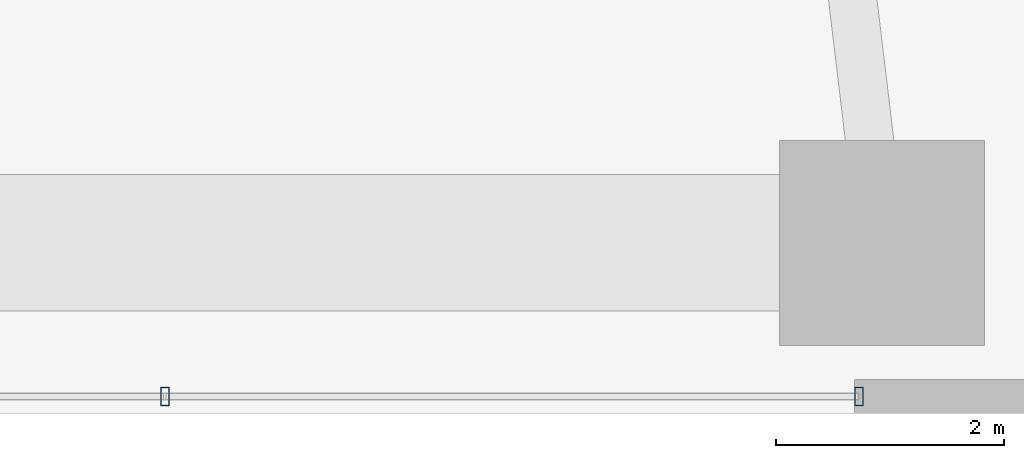
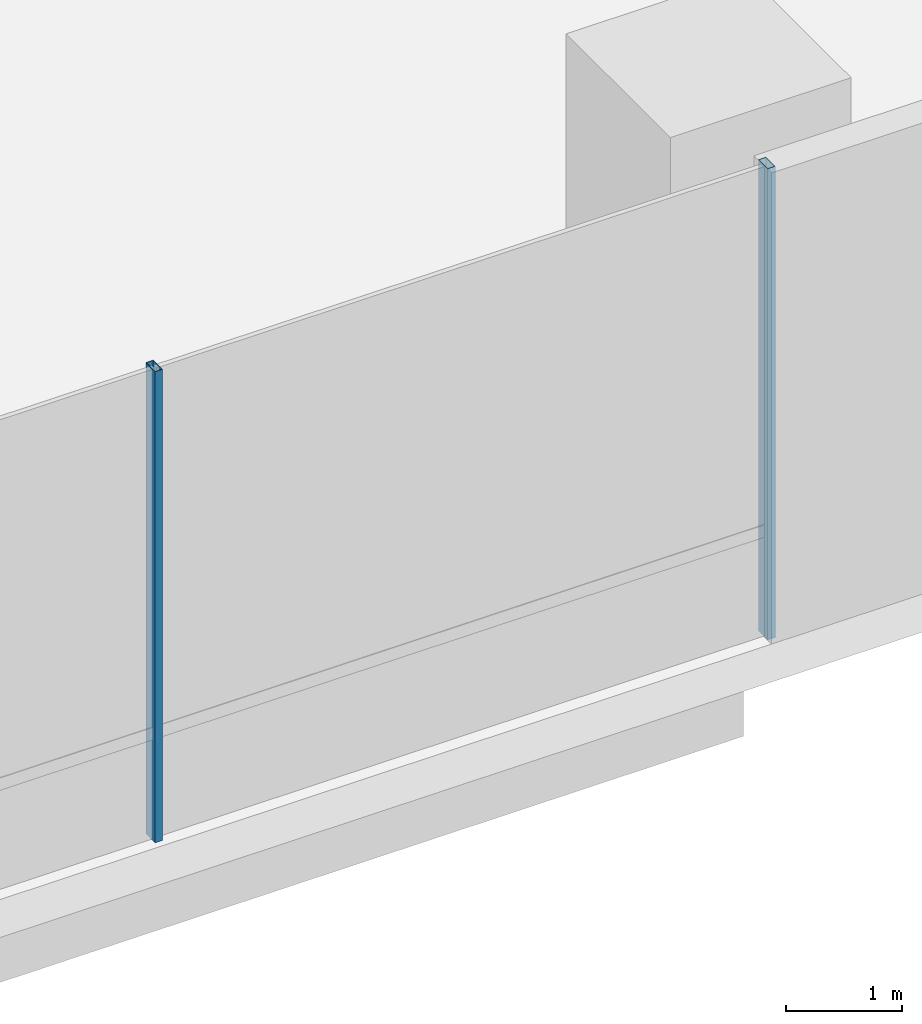
# One storey, part 10 of 41: 2 members, 1 element without a shape of its own.
"""IFC4 building model written with IfcOpenShell, lengths in metres."""

import ifcopenshell
import ifcopenshell.guid

model = None  # the IFC model being written
_history = None  # IfcOwnerHistory: only IFC2X3 demands one
_inside = {}  # id of a spatial element -> (the spatial element, [elements in it])
_under = {}  # id of a project, library or spatial element -> (it, [spatial elements below it])
_declared = {}  # id of a project -> (the project, [libraries it declares])
_typed = {}  # id of a type object -> (the type object, [elements of that type])
_made_of = {}  # id of a material, layer set ... -> (it, [elements and type objects made of it])


def new_model(schema):
    """Start an empty IFC model of exactly this schema.

    Asked for "IFC4X3", IfcOpenShell would pick the latest addendum, in which some entities
    have other attributes; the version numbers below select the first issue.
    IFC2X3 requires an IfcOwnerHistory on every rooted entity: one is made here for all.
    """
    global model, _history
    if schema == "IFC4X3":
        model = ifcopenshell.file(schema_version=(4, 3, 0, 0))
    else:
        model = ifcopenshell.file(schema=schema)
    _inside.clear()
    _under.clear()
    _declared.clear()
    _typed.clear()
    _made_of.clear()
    _history = None
    if model.schema == "IFC2X3":
        org = make("IfcOrganization", Name="unknown")
        user = make(
            "IfcPersonAndOrganization",
            ThePerson=make("IfcPerson", FamilyName="unknown"),
            TheOrganization=org,
        )
        app = make(
            "IfcApplication",
            ApplicationDeveloper=org,
            Version="unknown",
            ApplicationFullName="unknown",
            ApplicationIdentifier="unknown",
        )
        _history = make(
            "IfcOwnerHistory",
            OwningUser=user,
            OwningApplication=app,
            ChangeAction="ADDED",
            CreationDate=0,
        )
    return model


def make(cls, **values):
    """One entity of the class cls with the attributes given. An attribute that is None is left unset."""
    return model.create_entity(
        cls, **{name: value for name, value in values.items() if value is not None}
    )


def rooted(cls, **values):
    """An entity with a GlobalId (a new one), such as an element, a storey or a relation."""
    return make(cls, GlobalId=ifcopenshell.guid.new(), OwnerHistory=_history, **values)


def si_unit(unit_type, name, prefix=None):
    """IfcSIUnit, for example si_unit("LENGTHUNIT", "METRE", prefix="MILLI")."""
    return make("IfcSIUnit", UnitType=unit_type, Prefix=prefix, Name=name)


def assignment(units):
    """IfcUnitAssignment: the units of a project."""
    return None if units is None else make("IfcUnitAssignment", Units=units)


def point(xyz):
    """IfcCartesianPoint."""
    return None if xyz is None else make("IfcCartesianPoint", Coordinates=xyz)


def direction(xyz):
    """IfcDirection."""
    return None if xyz is None else make("IfcDirection", DirectionRatios=xyz)


def frame(location, z_axis=None, x_axis=None):
    """IfcAxis2Placement3D, a coordinate frame: its origin and axes. An axis left out is left unset."""
    return make(
        "IfcAxis2Placement3D",
        Location=point(location),
        Axis=direction(z_axis),
        RefDirection=direction(x_axis),
    )


def frame_2d(location, x_axis=None):
    """IfcAxis2Placement2D, a coordinate frame in the plane: its origin and x axis."""
    return make(
        "IfcAxis2Placement2D", Location=point(location), RefDirection=direction(x_axis)
    )


def origin():
    """The frame at (0, 0, 0) with its axes left unset."""
    return frame((0.0, 0.0, 0.0))


def origin_2d():
    """The frame at (0, 0) in the plane with its x axis left unset."""
    return frame_2d((0.0, 0.0))


def place(relative_to, where):
    """IfcLocalPlacement: puts the frame where relative to a parent placement (None: the world)."""
    return make(
        "IfcLocalPlacement", PlacementRelTo=relative_to, RelativePlacement=where
    )


def context(
    kind, dimensions, precision=None, world=None, true_north=None, identifier=None
):
    """IfcGeometricRepresentationContext, for example the 3D "Model" context."""
    return make(
        "IfcGeometricRepresentationContext",
        ContextIdentifier=identifier,
        ContextType=kind,
        CoordinateSpaceDimension=dimensions,
        Precision=precision,
        WorldCoordinateSystem=world,
        TrueNorth=true_north,
    )


def subcontext(parent, identifier, kind, view, scale=None):
    """IfcGeometricRepresentationSubContext, for example "Body" below "Model"."""
    return make(
        "IfcGeometricRepresentationSubContext",
        ContextIdentifier=identifier,
        ContextType=kind,
        ParentContext=parent,
        TargetScale=scale,
        TargetView=view,
    )


def project(units=None, contexts=None):
    """IfcProject with its units and contexts."""
    return rooted(
        "IfcProject",
        Name="project",
        RepresentationContexts=contexts,
        UnitsInContext=assignment(units),
    )


def spatial(cls, under=None, at=None, **own):
    """A site, building, storey or space (cls), placed at a placement, below another one or the project."""
    s = rooted(cls, ObjectPlacement=at, **own)
    if under is not None:
        _under.setdefault(under.id(), (under, []))[1].append(s)
    return s


def profile(cls, at=None, kind="AREA", **sizes):
    """A parametric profile (cls). Its sizes go by their IFC names, for example OverallWidth=200.0."""
    return make(cls, ProfileType=kind, Position=at, **sizes)


def hollow_rectangle(**sizes):
    """IfcRectangleHollowProfileDef."""
    return profile("IfcRectangleHollowProfileDef", **sizes)


def extrude(swept, where, along, depth):
    """IfcExtrudedAreaSolid: the profile swept, set in the frame where, extruded along a direction by depth."""
    return make(
        "IfcExtrudedAreaSolid",
        SweptArea=swept,
        Position=where,
        ExtrudedDirection=direction(along),
        Depth=depth,
    )


def shape(context_of_items, identifier, shape_type, items):
    """IfcShapeRepresentation: the items that make up one representation, for example the "Body"."""
    return make(
        "IfcShapeRepresentation",
        ContextOfItems=context_of_items,
        RepresentationIdentifier=identifier,
        RepresentationType=shape_type,
        Items=items,
    )


def source(mapping_origin, context_of_items, identifier, shape_type, items):
    """IfcRepresentationMap: a shape defined once, which mapped items show again and again."""
    return make(
        "IfcRepresentationMap",
        MappingOrigin=mapping_origin,
        MappedRepresentation=shape(context_of_items, identifier, shape_type, items),
    )


def transform(
    local_origin,
    x_axis=None,
    y_axis=None,
    z_axis=None,
    scale=None,
    scale2=None,
    scale3=None,
    uniform=True,
):
    """IfcCartesianTransformationOperator3D, or its non-uniform kind. x_axis, y_axis, z_axis: its Axis1, 2, 3."""
    if uniform:
        return make(
            "IfcCartesianTransformationOperator3D",
            Axis1=direction(x_axis),
            Axis2=direction(y_axis),
            LocalOrigin=point(local_origin),
            Scale=scale,
            Axis3=direction(z_axis),
        )
    return make(
        "IfcCartesianTransformationOperator3DnonUniform",
        Axis1=direction(x_axis),
        Axis2=direction(y_axis),
        LocalOrigin=point(local_origin),
        Scale=scale,
        Axis3=direction(z_axis),
        Scale2=scale2,
        Scale3=scale3,
    )


def mapped(mapping_source, mapping_target):
    """IfcMappedItem: shows the shape of a source again, moved by a transform."""
    return make(
        "IfcMappedItem", MappingSource=mapping_source, MappingTarget=mapping_target
    )


def material(Name=None, Category=None):
    """IfcMaterial."""
    return make("IfcMaterial", Name=Name, Category=Category)


def material_profile(
    of_material, cross_section, Name=None, Category=None, Priority=None
):
    """IfcMaterialProfile: a cross section and its material."""
    return make(
        "IfcMaterialProfile",
        Name=Name,
        Material=of_material,
        Profile=cross_section,
        Priority=Priority,
        Category=Category,
    )


def profile_set(profiles, Name=None, composite=None):
    """IfcMaterialProfileSet."""
    return make(
        "IfcMaterialProfileSet",
        Name=Name,
        MaterialProfiles=profiles,
        CompositeProfile=composite,
    )


def made_of(thing, what):
    """Note that an element or type object is made of a material, layer set ...; save() writes the relation."""
    if what is not None:
        _made_of.setdefault(what.id(), (what, []))[1].append(thing)
    return thing


def type_object(cls, material=None, **own):
    """A type object (cls), such as IfcWallType, which elements share."""
    return made_of(rooted(cls, **own), material)


def element(
    cls,
    number,
    at=None,
    inside=None,
    cuts=None,
    type_object=None,
    material=None,
    context=None,
    identifier="Body",
    shape_type=None,
    held_by="IfcProductDefinitionShape",
    body=None,
    shapes=None,
    **own,
):
    """One element of the class cls, such as IfcWall. Its Tag is "e" and its number.

    at: its placement. inside: the storey or other place that contains it. cuts: it is an
    opening in that element (IfcRelVoidsElement). A single representation is given by context,
    identifier, shape_type and body (its items); several are given by shapes. held_by: the class
    of the entity that holds the representations. save() writes the other relations.
    """
    e = rooted(cls, Tag="e%d" % number, ObjectPlacement=at, **own)
    if body is not None:
        shapes = [shape(context, identifier, shape_type, body)]
    if shapes is not None:
        e.Representation = make(held_by, Representations=shapes)
    if inside is not None:
        _inside.setdefault(inside.id(), (inside, []))[1].append(e)
    if cuts is not None:
        rooted(
            "IfcRelVoidsElement", RelatingBuildingElement=cuts, RelatedOpeningElement=e
        )
    if type_object is not None:
        _typed.setdefault(type_object.id(), (type_object, []))[1].append(e)
    return made_of(e, material)


def aggregate(whole, parts):
    """IfcRelAggregates: a whole, such as a stair, and the parts it consists of."""
    return rooted("IfcRelAggregates", RelatingObject=whole, RelatedObjects=parts)


def save(model, path):
    """Write the relations noted so far, then the file.

    IfcRelAggregates (storeys below a building ...), IfcRelContainedInSpatialStructure (elements
    in a storey), IfcRelDefinesByType, IfcRelAssociatesMaterial and IfcRelDeclares: one each for
    every whole, place, type object, material and project.
    """
    for whole, parts in _under.values():
        aggregate(whole, parts)
    for where, things in _inside.values():
        rooted(
            "IfcRelContainedInSpatialStructure",
            RelatedElements=things,
            RelatingStructure=where,
        )
    for kind, things in _typed.values():
        rooted("IfcRelDefinesByType", RelatedObjects=things, RelatingType=kind)
    for what, things in _made_of.values():
        rooted("IfcRelAssociatesMaterial", RelatedObjects=things, RelatingMaterial=what)
    for by, libraries in _declared.values():
        rooted("IfcRelDeclares", RelatingContext=by, RelatedDefinitions=libraries)
    model.write(path)


model = new_model("IFC4")

# Units and contexts
model_context = context("Model", 3, precision=1e-05, world=origin(), true_north=direction((0.0, 1.0)))
body_context = subcontext(model_context, "Body", "Model", "MODEL_VIEW")
ifc_project = project(units=[si_unit("LENGTHUNIT", "METRE"), si_unit("AREAUNIT", "SQUARE_METRE"), si_unit("VOLUMEUNIT", "CUBIC_METRE"), si_unit("PLANEANGLEUNIT", "RADIAN"), si_unit("MASSUNIT", "GRAM", prefix="KILO")], contexts=[model_context])

# Site, building, storey
site_placement = place(None, origin())
site = spatial("IfcSite", under=ifc_project, at=site_placement, CompositionType="ELEMENT")
building_placement = place(site_placement, origin())
building = spatial("IfcBuilding", under=site, at=building_placement, Name="Valdorenza Pilgrim Sanctuary Tower", CompositionType="ELEMENT")
storey_placement = place(building_placement, frame((0.0, 0.0, 20.800048828125)))
storey = spatial("IfcBuildingStorey", under=building, at=storey_placement, Name="L04", CompositionType="ELEMENT", Elevation=20.800048828125)

# Curtain wall, members
ifc_material_1 = material(Name="Curtain-wall IGU glazing", Category="glass")
curtain_wall_type = type_object("IfcCurtainWallType", Name="CW-SYS-01", PredefinedType="NOTDEFINED", material=ifc_material_1)
curtain_wall_placement = place(storey_placement, origin())
curtain_wall = element("IfcCurtainWall", 1, at=curtain_wall_placement, inside=storey, type_object=curtain_wall_type, Name="L04 Curtain Wall CW-POD-L04-ARCH-CROWN", PredefinedType="NOTDEFINED")
ifc_material_2 = material(Name="Anodised aluminium AW-6060", Category="aluminium")
ifc_material_profile = material_profile(ifc_material_2, hollow_rectangle(XDim=0.074951171875, YDim=0.159912109375, WallThickness=0.00390625, at=origin_2d()), Name="ALU-M 160x75x4")
ifc_profile_set = profile_set([ifc_material_profile], Name="Anodised aluminium AW-6060")
member_type = type_object("IfcMemberType", Name="CW-MUL-01", PredefinedType="MULLION", material=ifc_profile_set)
shared_shape = source(origin(), body_context, "Body", "SweptSolid", [
    extrude(hollow_rectangle(XDim=0.074951171875, YDim=0.159912109375, WallThickness=0.00390625, at=origin_2d()), origin(), (0.0, 0.0, 1.0), 4.9599609375),
])
member_1_placement = place(storey_placement, frame((6.10009765625, -22.85009765625, 0.0), z_axis=(0.0, 0.0, 1.0), x_axis=(1.0, 0.0, 0.0)))
member_1 = element("IfcMember", 2, at=member_1_placement, type_object=member_type, Name="CW-POD-L04-ARCH-CROWN Mullion 4", PredefinedType="MULLION", context=body_context, shape_type="MappedRepresentation", body=[
    mapped(shared_shape, transform((0.0, 0.0, 0.0), x_axis=(1.0, 0.0, 0.0), y_axis=(0.0, 1.0, 0.0), z_axis=(0.0, 0.0, 1.0), scale=1.0)),
])
member_2_placement = place(storey_placement, frame((12.199951171875, -22.85009765625, 0.0), z_axis=(0.0, 0.0, 1.0), x_axis=(1.0, 0.0, 0.0)))
member_2 = element("IfcMember", 3, at=member_2_placement, type_object=member_type, Name="CW-POD-L04-ARCH-CROWN Mullion 5", PredefinedType="MULLION", context=body_context, shape_type="MappedRepresentation", body=[
    mapped(shared_shape, transform((0.0, 0.0, 0.0), x_axis=(1.0, 0.0, 0.0), y_axis=(0.0, 1.0, 0.0), z_axis=(0.0, 0.0, 1.0), scale=1.0)),
])
aggregate(curtain_wall, [member_1, member_2])

save(model, "model.ifc")
